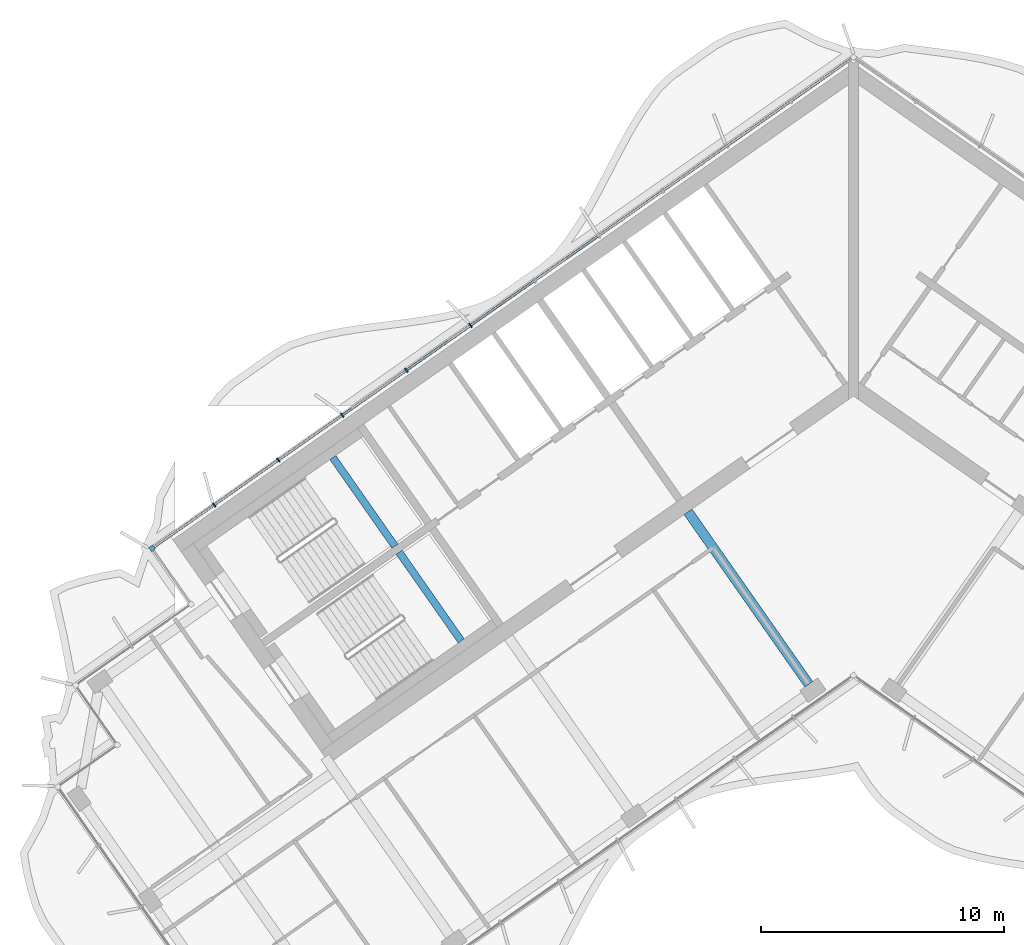
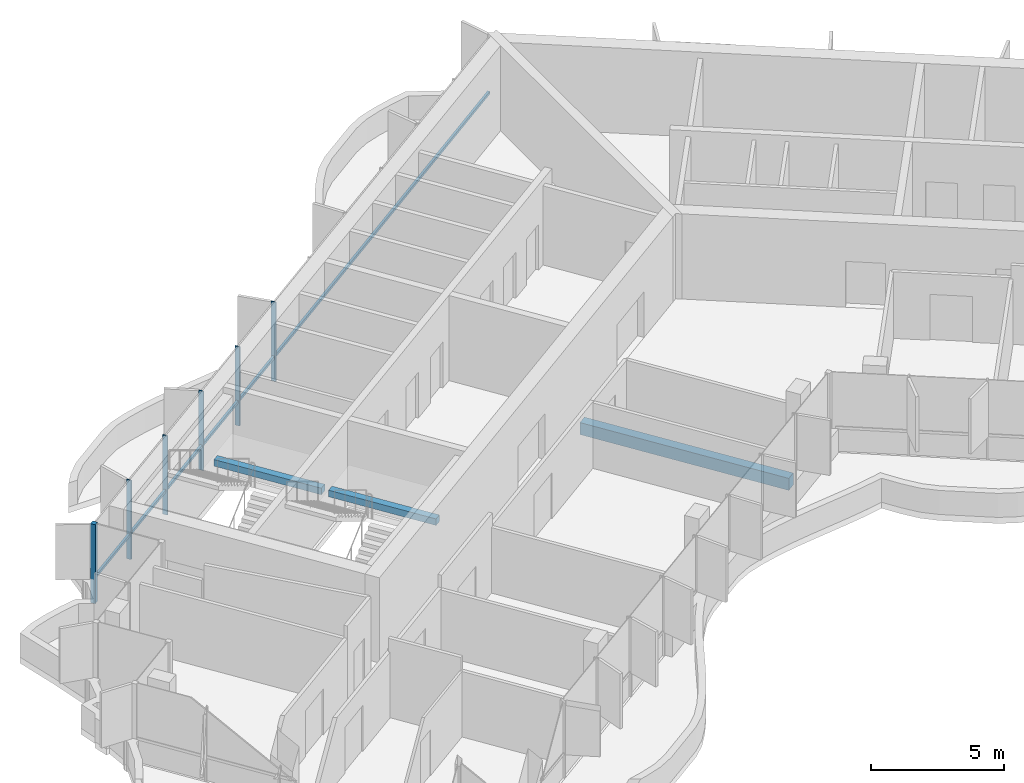
# One storey, part 3 of 17: 7 members, 3 beams, 1 element without a shape of its own.
"""IFC4 building model written with IfcOpenShell, lengths in metres."""

from ifc_helpers import new_model, si_unit, direction, frame, origin, origin_2d, place, context, subcontext, project, spatial, rectangle, extrude, material, material_profile, profile_set, type_object, element, aggregate, save


model = new_model("IFC4")

# Units and contexts
model_context = context("Model", 3, precision=1e-05, world=origin(), true_north=direction((0.0, 1.0)))
body_context = subcontext(model_context, "Body", "Model", "MODEL_VIEW")
ifc_project = project(units=[si_unit("LENGTHUNIT", "METRE"), si_unit("AREAUNIT", "SQUARE_METRE"), si_unit("VOLUMEUNIT", "CUBIC_METRE"), si_unit("PLANEANGLEUNIT", "RADIAN"), si_unit("MASSUNIT", "GRAM", prefix="KILO")], contexts=[model_context])

# Site, building, storey
site_placement = place(None, origin())
site = spatial("IfcSite", under=ifc_project, at=site_placement, CompositionType="ELEMENT")
building_placement = place(site_placement, origin())
building = spatial("IfcBuilding", under=site, at=building_placement, Name="Tel Ilan Convention Tower", CompositionType="ELEMENT")
storey_placement = place(building_placement, frame((0.0, 0.0, 276.10009765625)))
storey = spatial("IfcBuildingStorey", under=building, at=storey_placement, Name="L65", CompositionType="ELEMENT", Elevation=276.10009765625)

# Beam
ifc_material_1 = material(Name="Concrete C40/50", Category="concrete")
ifc_material_profile_1 = material_profile(ifc_material_1, rectangle(XDim=0.39990234375, YDim=0.550048828125, at=origin_2d()), Name="RC 400x550")
ifc_profile_set_1 = profile_set([ifc_material_profile_1], Name="Concrete C40/50")
beam_type_1 = type_object("IfcBeamType", Name="Beam RC 400x550 Concrete C40/50", PredefinedType="BEAM", material=ifc_profile_set_1)
beam_1_placement = place(storey_placement, frame((-1.83740234375, -13.06689453125, -0.55517578125), z_axis=(-0.573574099654, 0.819153680457, 0.0), x_axis=(-0.819153680457, -0.573574099654, 0.0)))
element("IfcBeam", 1, at=beam_1_placement, inside=storey, type_object=beam_type_1, Name="L65 beam W-W-F1-core", PredefinedType="BEAM", context=body_context, shape_type="SweptSolid", body=[
    extrude(rectangle(XDim=0.39990234375, YDim=0.550048828125, at=origin_2d()), origin(), (0.0, 0.0, 1.0), 8.64990234375),
])

# Curtain wall, members
ifc_material_2 = material(Name="Aluminium, bronze anodised", Category="aluminium")
curtain_wall_type = type_object("IfcCurtainWallType", Name="CW2 STICK CURTAIN WALL, SPANDREL PANELS", PredefinedType="NOTDEFINED", material=ifc_material_2)
curtain_wall_placement = place(storey_placement, origin())
curtain_wall = element("IfcCurtainWall", 2, at=curtain_wall_placement, inside=storey, type_object=curtain_wall_type, Name="Curtain wall CW2-50.01", PredefinedType="NOTDEFINED")
ifc_material_3 = material(Name="Aluminium, bronze anodised", Category="aluminium")
ifc_material_profile_2 = material_profile(ifc_material_3, rectangle(XDim=0.199951171875, YDim=0.199951171875, at=origin_2d()), Name="CW CORNER MULLION 200x200")
ifc_profile_set_2 = profile_set([ifc_material_profile_2], Name="Aluminium, bronze anodised")
member_type_1 = type_object("IfcMemberType", Name="CW CORNER MULLION 200x200", PredefinedType="MULLION", material=ifc_profile_set_2)
member_1_placement = place(storey_placement, frame((-28.819580078125, -7.483642578125, 0.0), z_axis=(0.0, 0.0, 1.0), x_axis=(-0.819152044289, -0.573576436351, 0.0)))
member_1 = element("IfcMember", 3, at=member_1_placement, type_object=member_type_1, Name="Corner mullion", PredefinedType="MULLION", context=body_context, shape_type="SweptSolid", body=[
    extrude(rectangle(XDim=0.199951171875, YDim=0.199951171875, at=origin_2d()), origin(), (0.0, 0.0, 1.0), 3.619873046875),
])
ifc_material_4 = material(Name="Aluminium, bronze anodised", Category="aluminium")
ifc_material_profile_3 = material_profile(ifc_material_4, rectangle(XDim=0.06005859375, YDim=0.199951171875, at=origin_2d()), Name="CW MULLION 60x200")
ifc_profile_set_3 = profile_set([ifc_material_profile_3], Name="Aluminium, bronze anodised")
member_type_2 = type_object("IfcMemberType", Name="CW MULLION 60x200", PredefinedType="MULLION", material=ifc_profile_set_3)
member_2_placement = place(storey_placement, frame((-15.73828125, 1.676025390625, 0.0), z_axis=(0.0, 0.0, 1.0), x_axis=(-0.819152044289, -0.573576436351, 0.0)))
member_2 = element("IfcMember", 4, at=member_2_placement, type_object=member_type_2, Name="Mullion", PredefinedType="MULLION", context=body_context, shape_type="SweptSolid", body=[
    extrude(rectangle(XDim=0.06005859375, YDim=0.199951171875, at=origin_2d()), origin(), (0.0, 0.0, 1.0), 3.619873046875),
])
member_3_placement = place(storey_placement, frame((-18.37109375, -0.16748046875, 0.0), z_axis=(0.0, 0.0, 1.0), x_axis=(-0.819152044289, -0.573576436351, 0.0)))
member_3 = element("IfcMember", 5, at=member_3_placement, type_object=member_type_2, Name="Mullion", PredefinedType="MULLION", context=body_context, shape_type="SweptSolid", body=[
    extrude(rectangle(XDim=0.06005859375, YDim=0.199951171875, at=origin_2d()), origin(), (0.0, 0.0, 1.0), 3.619873046875),
])
member_4_placement = place(storey_placement, frame((-21.003662109375, -2.0107421875, 0.0), z_axis=(0.0, 0.0, 1.0), x_axis=(-0.819152044289, -0.573576436351, 0.0)))
member_4 = element("IfcMember", 6, at=member_4_placement, type_object=member_type_2, Name="Mullion", PredefinedType="MULLION", context=body_context, shape_type="SweptSolid", body=[
    extrude(rectangle(XDim=0.06005859375, YDim=0.199951171875, at=origin_2d()), origin(), (0.0, 0.0, 1.0), 3.619873046875),
])
member_5_placement = place(storey_placement, frame((-23.63623046875, -3.854248046875, 0.0), z_axis=(0.0, 0.0, 1.0), x_axis=(-0.819152044289, -0.573576436351, 0.0)))
member_5 = element("IfcMember", 7, at=member_5_placement, type_object=member_type_2, Name="Mullion", PredefinedType="MULLION", context=body_context, shape_type="SweptSolid", body=[
    extrude(rectangle(XDim=0.06005859375, YDim=0.199951171875, at=origin_2d()), origin(), (0.0, 0.0, 1.0), 3.619873046875),
])
member_6_placement = place(storey_placement, frame((-26.268798828125, -5.697509765625, 0.0), z_axis=(0.0, 0.0, 1.0), x_axis=(-0.819152044289, -0.573576436351, 0.0)))
member_6 = element("IfcMember", 8, at=member_6_placement, type_object=member_type_2, Name="Mullion", PredefinedType="MULLION", context=body_context, shape_type="SweptSolid", body=[
    extrude(rectangle(XDim=0.06005859375, YDim=0.199951171875, at=origin_2d()), origin(), (0.0, 0.0, 1.0), 3.619873046875),
])
ifc_material_5 = material(Name="Aluminium, bronze anodised", Category="aluminium")
ifc_material_profile_4 = material_profile(ifc_material_5, rectangle(XDim=0.10009765625, YDim=0.1201171875, at=origin_2d()), Name="CW TRANSOM 100x120")
ifc_profile_set_4 = profile_set([ifc_material_profile_4], Name="Aluminium, bronze anodised")
member_type_3 = type_object("IfcMemberType", Name="CW TRANSOM 100x120", PredefinedType="USERDEFINED", material=ifc_profile_set_4)
member_7_placement = place(storey_placement, frame((-0.1064453125, 12.62158203125, 1.099853515625), z_axis=(-0.819150201937, -0.573579067494, 0.0), x_axis=(0.573579067494, -0.819150201937, 0.0)))
member_7 = element("IfcMember", 9, at=member_7_placement, type_object=member_type_3, Name="Transom", ObjectType="TRANSOM", PredefinedType="USERDEFINED", context=body_context, shape_type="SweptSolid", body=[
    extrude(rectangle(XDim=0.10009765625, YDim=0.1201171875, at=origin_2d()), origin(), (0.0, 0.0, 1.0), 34.9521484375),
])
aggregate(curtain_wall, [member_2, member_3, member_4, member_5, member_6, member_1, member_7])

# Beams
ifc_material_6 = material(Name="Concrete C40/50", Category="concrete")
ifc_material_profile_5 = material_profile(ifc_material_6, rectangle(XDim=0.300048828125, YDim=0.300048828125, at=origin_2d()), Name="RC 300x300")
ifc_profile_set_5 = profile_set([ifc_material_profile_5], Name="Concrete C40/50")
beam_type_2 = type_object("IfcBeamType", Name="Landing Beam RC 300x300 Concrete C40/50", PredefinedType="BEAM", material=ifc_profile_set_5)
beam_2_placement = place(storey_placement, frame((-18.841796875, -7.394287109375, 1.599853515625), z_axis=(-0.573547030514, 0.819172633691, 0.0), x_axis=(-0.819172633691, -0.573547030514, 0.0)))
element("IfcBeam", 10, at=beam_2_placement, inside=storey, type_object=beam_type_2, Name="S1 landing beam L65.1", PredefinedType="BEAM", context=body_context, shape_type="SweptSolid", body=[
    extrude(rectangle(XDim=0.300048828125, YDim=0.300048828125, at=origin_2d()), origin(), (0.0, 0.0, 1.0), 4.449951171875),
])
beam_3_placement = place(storey_placement, frame((-16.1171875, -11.285400390625, 1.599853515625), z_axis=(-0.573583844845, 0.819146856756, 0.0), x_axis=(-0.819146856756, -0.573583844845, 0.0)))
element("IfcBeam", 11, at=beam_3_placement, inside=storey, type_object=beam_type_2, Name="S2 landing beam L65.1", PredefinedType="BEAM", context=body_context, shape_type="SweptSolid", body=[
    extrude(rectangle(XDim=0.300048828125, YDim=0.300048828125, at=origin_2d()), origin(), (0.0, 0.0, 1.0), 4.4501953125),
])

save(model, "model.ifc")
